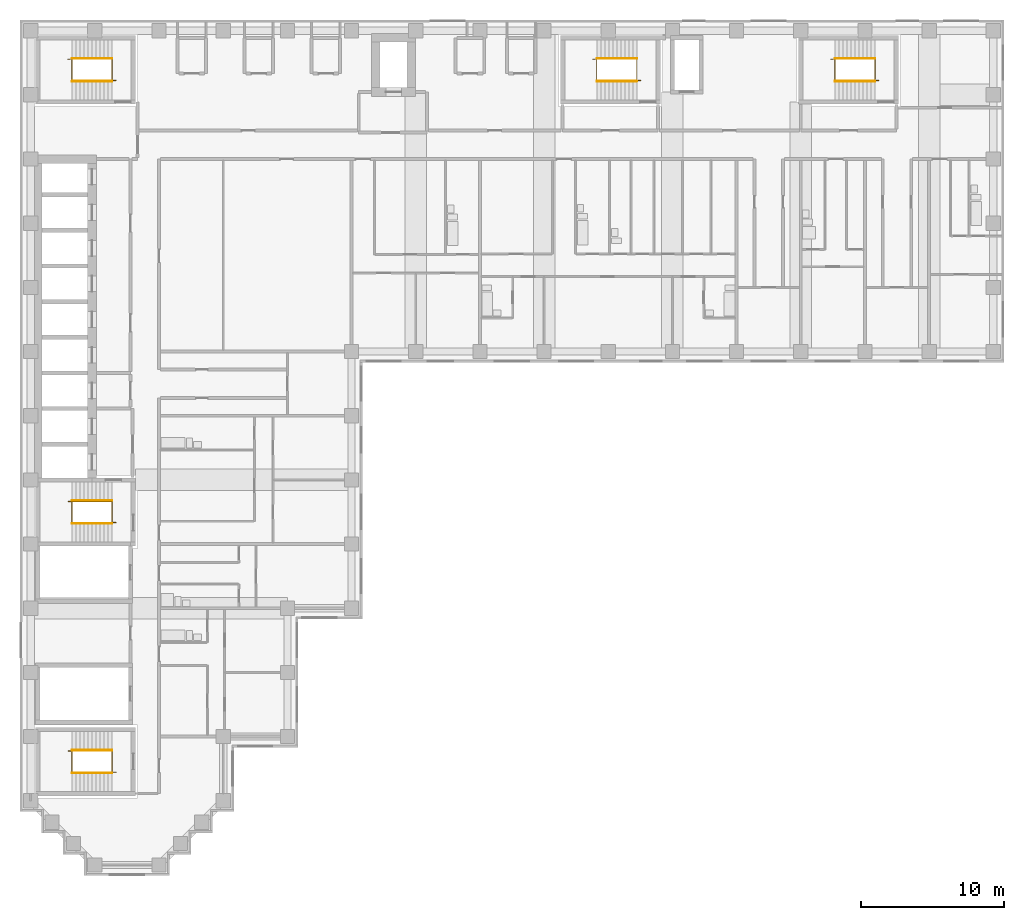
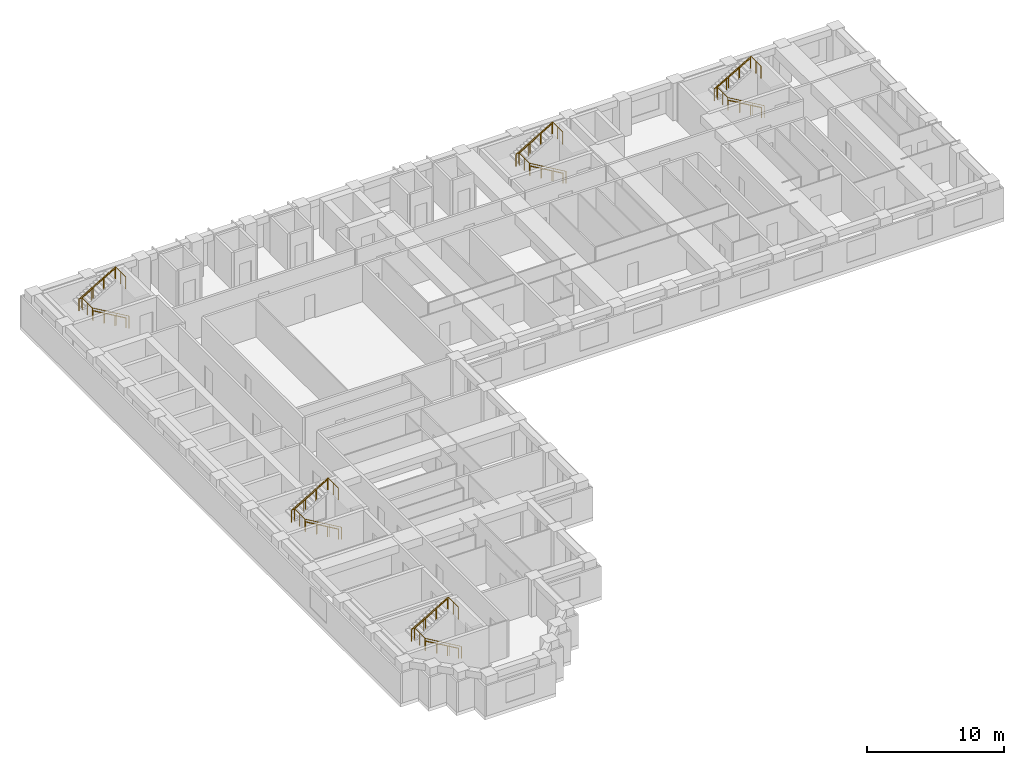
# One storey, part 11 of 12: 15 railings.
"""IFC4 building model written with IfcOpenShell, lengths in metres."""

from ifc_helpers import new_model, si_unit, direction, frame, origin, origin_2d, place, context, subcontext, project, spatial, circle, extrude, material, type_object, element, save


model = new_model("IFC4")

# Units and contexts
model_context = context("Model", 3, precision=1e-05, world=origin(), true_north=direction((0.0, 1.0)))
body_context = subcontext(model_context, "Body", "Model", "MODEL_VIEW")
ifc_project = project(units=[si_unit("LENGTHUNIT", "METRE"), si_unit("AREAUNIT", "SQUARE_METRE"), si_unit("VOLUMEUNIT", "CUBIC_METRE"), si_unit("PLANEANGLEUNIT", "RADIAN"), si_unit("MASSUNIT", "GRAM", prefix="KILO")], contexts=[model_context])

# Site, building, storey
site_placement = place(None, origin())
site = spatial("IfcSite", under=ifc_project, at=site_placement, CompositionType="ELEMENT")
building_placement = place(site_placement, origin())
building = spatial("IfcBuilding", under=site, at=building_placement, Name="Firuza Court", CompositionType="ELEMENT")
storey_placement = place(building_placement, frame((0.0, 0.0, 126.800048828125)))
storey = spatial("IfcBuildingStorey", under=building, at=storey_placement, Name="L31", CompositionType="ELEMENT", Elevation=126.800048828125)

# Railings
ifc_material_1 = material(Name="Steel S355", Category="steel")
railing_type_1 = type_object("IfcRailingType", Name="Handrail 900", PredefinedType="HANDRAIL", material=ifc_material_1)
railing_1_placement = place(storey_placement, frame((42.5, 54.949951171875, 0.16357421875)))
element("IfcRailing", 1, at=railing_1_placement, inside=storey, type_object=railing_type_1, Name="Handrail S1 flight 1", PredefinedType="HANDRAIL", context=body_context, shape_type="SweptSolid", body=[
    extrude(circle(Radius=0.02490234375, at=origin_2d()), frame((0.0, 0.0, 0.875), z_axis=(-0.863360870873, 0.0, 0.504586966384), x_axis=(0.0, -1.0, 0.0)), (0.0, 0.0, 1.0), 3.2431640625),
    extrude(circle(Radius=0.02001953125, at=origin_2d()), origin(), (0.0, 0.0, 1.0), 0.849853515625),
    extrude(circle(Radius=0.02001953125, at=origin_2d()), frame((-0.933349609375, 0.0, 0.54541015625)), (0.0, 0.0, 1.0), 0.849853515625),
    extrude(circle(Radius=0.02001953125, at=origin_2d()), frame((-1.86669921875, 0.0, 1.091064453125)), (0.0, 0.0, 1.0), 0.849853515625),
    extrude(circle(Radius=0.02001953125, at=origin_2d()), frame((-2.800048828125, 0.0, 1.636474609375)), (0.0, 0.0, 1.0), 0.849853515625),
])
railing_2_placement = place(storey_placement, frame((39.699951171875, 56.550048828125, 1.963623046875)))
element("IfcRailing", 2, at=railing_2_placement, inside=storey, type_object=railing_type_1, Name="Handrail S1 flight 2", PredefinedType="HANDRAIL", context=body_context, shape_type="SweptSolid", body=[
    extrude(circle(Radius=0.02490234375, at=origin_2d()), frame((0.0, 0.0, 0.875), z_axis=(0.863393664356, 0.0, 0.504530851732), x_axis=(0.0, 1.0, 0.0)), (0.0, 0.0, 1.0), 3.2431640625),
    extrude(circle(Radius=0.02001953125, at=origin_2d()), origin(), (0.0, 0.0, 1.0), 0.849853515625),
    extrude(circle(Radius=0.02001953125, at=origin_2d()), frame((0.933349609375, 0.0, 0.54541015625)), (0.0, 0.0, 1.0), 0.849853515625),
    extrude(circle(Radius=0.02001953125, at=origin_2d()), frame((1.86669921875, 0.0, 1.0908203125)), (0.0, 0.0, 1.0), 0.849853515625),
    extrude(circle(Radius=0.02001953125, at=origin_2d()), frame((2.800048828125, 0.0, 1.63623046875)), (0.0, 0.0, 1.0), 0.849853515625),
])
railing_3_placement = place(storey_placement, frame((5.699951171875, 23.949951171875, 0.16357421875)))
element("IfcRailing", 3, at=railing_3_placement, inside=storey, type_object=railing_type_1, Name="Handrail S2 flight 1", PredefinedType="HANDRAIL", context=body_context, shape_type="SweptSolid", body=[
    extrude(circle(Radius=0.02490234375, at=origin_2d()), frame((0.0, 0.0, 0.875), z_axis=(-0.863360870873, 0.0, 0.504586966384), x_axis=(0.0, -1.0, 0.0)), (0.0, 0.0, 1.0), 3.2431640625),
    extrude(circle(Radius=0.02001953125, at=origin_2d()), origin(), (0.0, 0.0, 1.0), 0.849853515625),
    extrude(circle(Radius=0.02001953125, at=origin_2d()), frame((-0.933349609375, 0.0, 0.54541015625)), (0.0, 0.0, 1.0), 0.849853515625),
    extrude(circle(Radius=0.02001953125, at=origin_2d()), frame((-1.86669921875, 0.0, 1.091064453125)), (0.0, 0.0, 1.0), 0.849853515625),
    extrude(circle(Radius=0.02001953125, at=origin_2d()), frame((-2.800048828125, 0.0, 1.636474609375)), (0.0, 0.0, 1.0), 0.849853515625),
])
railing_4_placement = place(storey_placement, frame((2.89990234375, 25.550048828125, 1.963623046875)))
element("IfcRailing", 4, at=railing_4_placement, inside=storey, type_object=railing_type_1, Name="Handrail S2 flight 2", PredefinedType="HANDRAIL", context=body_context, shape_type="SweptSolid", body=[
    extrude(circle(Radius=0.02490234375, at=origin_2d()), frame((0.0, 0.0, 0.875), z_axis=(0.863393664356, 0.0, 0.504530851732), x_axis=(0.0, 1.0, 0.0)), (0.0, 0.0, 1.0), 3.2431640625),
    extrude(circle(Radius=0.02001953125, at=origin_2d()), origin(), (0.0, 0.0, 1.0), 0.849853515625),
    extrude(circle(Radius=0.02001953125, at=origin_2d()), frame((0.933349609375, 0.0, 0.54541015625)), (0.0, 0.0, 1.0), 0.849853515625),
    extrude(circle(Radius=0.02001953125, at=origin_2d()), frame((1.86669921875, 0.0, 1.0908203125)), (0.0, 0.0, 1.0), 0.849853515625),
    extrude(circle(Radius=0.02001953125, at=origin_2d()), frame((2.800048828125, 0.0, 1.63623046875)), (0.0, 0.0, 1.0), 0.849853515625),
])
railing_5_placement = place(storey_placement, frame((5.699951171875, 54.949951171875, 0.16357421875)))
element("IfcRailing", 5, at=railing_5_placement, inside=storey, type_object=railing_type_1, Name="Handrail S3 flight 1", PredefinedType="HANDRAIL", context=body_context, shape_type="SweptSolid", body=[
    extrude(circle(Radius=0.02490234375, at=origin_2d()), frame((0.0, 0.0, 0.875), z_axis=(-0.863360870873, 0.0, 0.504586966384), x_axis=(0.0, -1.0, 0.0)), (0.0, 0.0, 1.0), 3.2431640625),
    extrude(circle(Radius=0.02001953125, at=origin_2d()), origin(), (0.0, 0.0, 1.0), 0.849853515625),
    extrude(circle(Radius=0.02001953125, at=origin_2d()), frame((-0.933349609375, 0.0, 0.54541015625)), (0.0, 0.0, 1.0), 0.849853515625),
    extrude(circle(Radius=0.02001953125, at=origin_2d()), frame((-1.86669921875, 0.0, 1.091064453125)), (0.0, 0.0, 1.0), 0.849853515625),
    extrude(circle(Radius=0.02001953125, at=origin_2d()), frame((-2.800048828125, 0.0, 1.636474609375)), (0.0, 0.0, 1.0), 0.849853515625),
])
railing_6_placement = place(storey_placement, frame((2.89990234375, 56.550048828125, 1.963623046875)))
element("IfcRailing", 6, at=railing_6_placement, inside=storey, type_object=railing_type_1, Name="Handrail S3 flight 2", PredefinedType="HANDRAIL", context=body_context, shape_type="SweptSolid", body=[
    extrude(circle(Radius=0.02490234375, at=origin_2d()), frame((0.0, 0.0, 0.875), z_axis=(0.863393664356, 0.0, 0.504530851732), x_axis=(0.0, 1.0, 0.0)), (0.0, 0.0, 1.0), 3.2431640625),
    extrude(circle(Radius=0.02001953125, at=origin_2d()), origin(), (0.0, 0.0, 1.0), 0.849853515625),
    extrude(circle(Radius=0.02001953125, at=origin_2d()), frame((0.933349609375, 0.0, 0.54541015625)), (0.0, 0.0, 1.0), 0.849853515625),
    extrude(circle(Radius=0.02001953125, at=origin_2d()), frame((1.86669921875, 0.0, 1.0908203125)), (0.0, 0.0, 1.0), 0.849853515625),
    extrude(circle(Radius=0.02001953125, at=origin_2d()), frame((2.800048828125, 0.0, 1.63623046875)), (0.0, 0.0, 1.0), 0.849853515625),
])
railing_7_placement = place(storey_placement, frame((59.199951171875, 54.949951171875, 0.16357421875)))
element("IfcRailing", 7, at=railing_7_placement, inside=storey, type_object=railing_type_1, Name="Handrail S4 flight 1", PredefinedType="HANDRAIL", context=body_context, shape_type="SweptSolid", body=[
    extrude(circle(Radius=0.02490234375, at=origin_2d()), frame((0.0, 0.0, 0.875), z_axis=(-0.863360870873, 0.0, 0.504586966384), x_axis=(0.0, -1.0, 0.0)), (0.0, 0.0, 1.0), 3.2431640625),
    extrude(circle(Radius=0.02001953125, at=origin_2d()), origin(), (0.0, 0.0, 1.0), 0.849853515625),
    extrude(circle(Radius=0.02001953125, at=origin_2d()), frame((-0.933349609375, 0.0, 0.54541015625)), (0.0, 0.0, 1.0), 0.849853515625),
    extrude(circle(Radius=0.02001953125, at=origin_2d()), frame((-1.86669921875, 0.0, 1.091064453125)), (0.0, 0.0, 1.0), 0.849853515625),
    extrude(circle(Radius=0.02001953125, at=origin_2d()), frame((-2.800048828125, 0.0, 1.636474609375)), (0.0, 0.0, 1.0), 0.849853515625),
])
railing_8_placement = place(storey_placement, frame((56.39990234375, 56.550048828125, 1.963623046875)))
element("IfcRailing", 8, at=railing_8_placement, inside=storey, type_object=railing_type_1, Name="Handrail S4 flight 2", PredefinedType="HANDRAIL", context=body_context, shape_type="SweptSolid", body=[
    extrude(circle(Radius=0.02490234375, at=origin_2d()), frame((0.0, 0.0, 0.875), z_axis=(0.863393664356, 0.0, 0.504530851732), x_axis=(0.0, 1.0, 0.0)), (0.0, 0.0, 1.0), 3.2431640625),
    extrude(circle(Radius=0.02001953125, at=origin_2d()), origin(), (0.0, 0.0, 1.0), 0.849853515625),
    extrude(circle(Radius=0.02001953125, at=origin_2d()), frame((0.933349609375, 0.0, 0.54541015625)), (0.0, 0.0, 1.0), 0.849853515625),
    extrude(circle(Radius=0.02001953125, at=origin_2d()), frame((1.86669921875, 0.0, 1.0908203125)), (0.0, 0.0, 1.0), 0.849853515625),
    extrude(circle(Radius=0.02001953125, at=origin_2d()), frame((2.800048828125, 0.0, 1.63623046875)), (0.0, 0.0, 1.0), 0.849853515625),
])
railing_9_placement = place(storey_placement, frame((5.699951171875, 6.449951171875, 0.16357421875)))
element("IfcRailing", 9, at=railing_9_placement, inside=storey, type_object=railing_type_1, Name="Handrail S5 flight 1", PredefinedType="HANDRAIL", context=body_context, shape_type="SweptSolid", body=[
    extrude(circle(Radius=0.02490234375, at=origin_2d()), frame((0.0, 0.0, 0.875), z_axis=(-0.863360870873, 0.0, 0.504586966384), x_axis=(0.0, -1.0, 0.0)), (0.0, 0.0, 1.0), 3.2431640625),
    extrude(circle(Radius=0.02001953125, at=origin_2d()), origin(), (0.0, 0.0, 1.0), 0.849853515625),
    extrude(circle(Radius=0.02001953125, at=origin_2d()), frame((-0.933349609375, 0.0, 0.54541015625)), (0.0, 0.0, 1.0), 0.849853515625),
    extrude(circle(Radius=0.02001953125, at=origin_2d()), frame((-1.86669921875, 0.0, 1.091064453125)), (0.0, 0.0, 1.0), 0.849853515625),
    extrude(circle(Radius=0.02001953125, at=origin_2d()), frame((-2.800048828125, 0.0, 1.636474609375)), (0.0, 0.0, 1.0), 0.849853515625),
])
railing_10_placement = place(storey_placement, frame((2.89990234375, 8.050048828125, 1.963623046875)))
element("IfcRailing", 10, at=railing_10_placement, inside=storey, type_object=railing_type_1, Name="Handrail S5 flight 2", PredefinedType="HANDRAIL", context=body_context, shape_type="SweptSolid", body=[
    extrude(circle(Radius=0.02490234375, at=origin_2d()), frame((0.0, 0.0, 0.875), z_axis=(0.863393664356, 0.0, 0.504530851732), x_axis=(0.0, 1.0, 0.0)), (0.0, 0.0, 1.0), 3.2431640625),
    extrude(circle(Radius=0.02001953125, at=origin_2d()), origin(), (0.0, 0.0, 1.0), 0.849853515625),
    extrude(circle(Radius=0.02001953125, at=origin_2d()), frame((0.933349609375, 0.0, 0.54541015625)), (0.0, 0.0, 1.0), 0.849853515625),
    extrude(circle(Radius=0.02001953125, at=origin_2d()), frame((1.86669921875, 0.0, 1.0908203125)), (0.0, 0.0, 1.0), 0.849853515625),
    extrude(circle(Radius=0.02001953125, at=origin_2d()), frame((2.800048828125, 0.0, 1.63623046875)), (0.0, 0.0, 1.0), 0.849853515625),
])
ifc_material_2 = material(Name="Steel S355", Category="steel")
railing_type_2 = type_object("IfcRailingType", Name="Stair guard 1100", PredefinedType="GUARDRAIL", material=ifc_material_2)
railing_11_placement = place(storey_placement, frame((42.780029296875, 55.010009765625, 0.0)))
element("IfcRailing", 11, at=railing_11_placement, inside=storey, type_object=railing_type_2, Name="Stair well guard S1", PredefinedType="GUARDRAIL", context=body_context, shape_type="SweptSolid", body=[
    extrude(circle(Radius=0.02490234375, at=origin_2d()), frame((0.0, 0.0, 1.0751953125), z_axis=(-0.863371556955, 0.0, 0.504568681787), x_axis=(0.0, -1.0, 0.0)), (0.0, 0.0, 1.0), 3.5673828125),
    extrude(circle(Radius=0.02490234375, at=origin_2d()), frame((-3.080078125, 0.0, 2.875), z_axis=(0.0, 1.0, 0.0), x_axis=(-1.0, 0.0, 0.0)), (0.0, 0.0, 1.0), 1.47998046875),
    extrude(circle(Radius=0.02490234375, at=origin_2d()), frame((-3.080078125, 1.47998046875, 2.875), z_axis=(-1.0, 0.0, 0.0), x_axis=(0.0, -1.0, 0.0)), (0.0, 0.0, 1.0), 0.280029296875),
    extrude(circle(Radius=0.02490234375, at=origin_2d()), frame((-3.360107421875, 1.47998046875, 2.875), z_axis=(0.863401368682, 0.0, 0.504517667242), x_axis=(0.0, 1.0, 0.0)), (0.0, 0.0, 1.0), 3.5673828125),
    extrude(circle(Radius=0.02490234375, at=origin_2d()), frame((-0.280029296875, 1.47998046875, 4.6748046875), z_axis=(0.0, -1.0, 0.0), x_axis=(1.0, 0.0, 0.0)), (0.0, 0.0, 1.0), 1.47998046875),
    extrude(circle(Radius=0.02490234375, at=origin_2d()), origin(), (0.0, 0.0, 1.0), 1.050048828125),
    extrude(circle(Radius=0.02490234375, at=origin_2d()), frame((-1.026611328125, 0.0, 0.60009765625)), (0.0, 0.0, 1.0), 1.050048828125),
    extrude(circle(Radius=0.02490234375, at=origin_2d()), frame((-2.053466796875, 0.0, 1.199951171875)), (0.0, 0.0, 1.0), 1.050048828125),
    extrude(circle(Radius=0.02490234375, at=origin_2d()), frame((-3.080078125, 0.0, 1.800048828125)), (0.0, 0.0, 1.0), 1.050048828125),
    extrude(circle(Radius=0.02490234375, at=origin_2d()), frame((-3.080078125, 0.739990234375, 1.800048828125)), (0.0, 0.0, 1.0), 1.050048828125),
    extrude(circle(Radius=0.02490234375, at=origin_2d()), frame((-3.080078125, 1.47998046875, 1.800048828125)), (0.0, 0.0, 1.0), 1.050048828125),
    extrude(circle(Radius=0.02490234375, at=origin_2d()), frame((-3.360107421875, 1.47998046875, 1.800048828125)), (0.0, 0.0, 1.0), 1.050048828125),
    extrude(circle(Radius=0.02490234375, at=origin_2d()), frame((-2.33349609375, 1.47998046875, 2.39990234375)), (0.0, 0.0, 1.0), 1.050048828125),
    extrude(circle(Radius=0.02490234375, at=origin_2d()), frame((-1.306640625, 1.47998046875, 3.0)), (0.0, 0.0, 1.0), 1.050048828125),
    extrude(circle(Radius=0.02490234375, at=origin_2d()), frame((-0.280029296875, 1.47998046875, 3.599853515625)), (0.0, 0.0, 1.0), 1.050048828125),
    extrude(circle(Radius=0.02490234375, at=origin_2d()), frame((-0.280029296875, 0.739990234375, 3.599853515625)), (0.0, 0.0, 1.0), 1.050048828125),
    extrude(circle(Radius=0.02490234375, at=origin_2d()), frame((-0.280029296875, 0.0, 3.599853515625)), (0.0, 0.0, 1.0), 1.050048828125),
])
railing_12_placement = place(storey_placement, frame((5.97998046875, 24.010009765625, 0.0)))
element("IfcRailing", 12, at=railing_12_placement, inside=storey, type_object=railing_type_2, Name="Stair well guard S2", PredefinedType="GUARDRAIL", context=body_context, shape_type="SweptSolid", body=[
    extrude(circle(Radius=0.02490234375, at=origin_2d()), frame((0.0, 0.0, 1.0751953125), z_axis=(-0.863371556955, 0.0, 0.504568681787), x_axis=(0.0, -1.0, 0.0)), (0.0, 0.0, 1.0), 3.5673828125),
    extrude(circle(Radius=0.02490234375, at=origin_2d()), frame((-3.080078125, 0.0, 2.875), z_axis=(0.0, 1.0, 0.0), x_axis=(-1.0, 0.0, 0.0)), (0.0, 0.0, 1.0), 1.47998046875),
    extrude(circle(Radius=0.02490234375, at=origin_2d()), frame((-3.080078125, 1.47998046875, 2.875), z_axis=(-1.0, 0.0, 0.0), x_axis=(0.0, -1.0, 0.0)), (0.0, 0.0, 1.0), 0.27978515625),
    extrude(circle(Radius=0.02490234375, at=origin_2d()), frame((-3.35986328125, 1.47998046875, 2.875), z_axis=(0.863383947312, 0.0, 0.504547479951), x_axis=(0.0, 1.0, 0.0)), (0.0, 0.0, 1.0), 3.567138671875),
    extrude(circle(Radius=0.02490234375, at=origin_2d()), frame((-0.280029296875, 1.47998046875, 4.6748046875), z_axis=(0.0, -1.0, 0.0), x_axis=(1.0, 0.0, 0.0)), (0.0, 0.0, 1.0), 1.47998046875),
    extrude(circle(Radius=0.02490234375, at=origin_2d()), origin(), (0.0, 0.0, 1.0), 1.050048828125),
    extrude(circle(Radius=0.02490234375, at=origin_2d()), frame((-1.026611328125, 0.0, 0.60009765625)), (0.0, 0.0, 1.0), 1.050048828125),
    extrude(circle(Radius=0.02490234375, at=origin_2d()), frame((-2.053466796875, 0.0, 1.199951171875)), (0.0, 0.0, 1.0), 1.050048828125),
    extrude(circle(Radius=0.02490234375, at=origin_2d()), frame((-3.080078125, 0.0, 1.800048828125)), (0.0, 0.0, 1.0), 1.050048828125),
    extrude(circle(Radius=0.02490234375, at=origin_2d()), frame((-3.080078125, 0.739990234375, 1.800048828125)), (0.0, 0.0, 1.0), 1.050048828125),
    extrude(circle(Radius=0.02490234375, at=origin_2d()), frame((-3.080078125, 1.47998046875, 1.800048828125)), (0.0, 0.0, 1.0), 1.050048828125),
    extrude(circle(Radius=0.02490234375, at=origin_2d()), frame((-3.35986328125, 1.47998046875, 1.800048828125)), (0.0, 0.0, 1.0), 1.050048828125),
    extrude(circle(Radius=0.02490234375, at=origin_2d()), frame((-2.333251953125, 1.47998046875, 2.39990234375)), (0.0, 0.0, 1.0), 1.050048828125),
    extrude(circle(Radius=0.02490234375, at=origin_2d()), frame((-1.306640625, 1.47998046875, 3.0)), (0.0, 0.0, 1.0), 1.050048828125),
    extrude(circle(Radius=0.02490234375, at=origin_2d()), frame((-0.280029296875, 1.47998046875, 3.599853515625)), (0.0, 0.0, 1.0), 1.050048828125),
    extrude(circle(Radius=0.02490234375, at=origin_2d()), frame((-0.280029296875, 0.739990234375, 3.599853515625)), (0.0, 0.0, 1.0), 1.050048828125),
    extrude(circle(Radius=0.02490234375, at=origin_2d()), frame((-0.280029296875, 0.0, 3.599853515625)), (0.0, 0.0, 1.0), 1.050048828125),
])
railing_13_placement = place(storey_placement, frame((5.97998046875, 55.010009765625, 0.0)))
element("IfcRailing", 13, at=railing_13_placement, inside=storey, type_object=railing_type_2, Name="Stair well guard S3", PredefinedType="GUARDRAIL", context=body_context, shape_type="SweptSolid", body=[
    extrude(circle(Radius=0.02490234375, at=origin_2d()), frame((0.0, 0.0, 1.0751953125), z_axis=(-0.863371556955, 0.0, 0.504568681787), x_axis=(0.0, -1.0, 0.0)), (0.0, 0.0, 1.0), 3.5673828125),
    extrude(circle(Radius=0.02490234375, at=origin_2d()), frame((-3.080078125, 0.0, 2.875), z_axis=(0.0, 1.0, 0.0), x_axis=(-1.0, 0.0, 0.0)), (0.0, 0.0, 1.0), 1.47998046875),
    extrude(circle(Radius=0.02490234375, at=origin_2d()), frame((-3.080078125, 1.47998046875, 2.875), z_axis=(-1.0, 0.0, 0.0), x_axis=(0.0, -1.0, 0.0)), (0.0, 0.0, 1.0), 0.27978515625),
    extrude(circle(Radius=0.02490234375, at=origin_2d()), frame((-3.35986328125, 1.47998046875, 2.875), z_axis=(0.863383947312, 0.0, 0.504547479951), x_axis=(0.0, 1.0, 0.0)), (0.0, 0.0, 1.0), 3.567138671875),
    extrude(circle(Radius=0.02490234375, at=origin_2d()), frame((-0.280029296875, 1.47998046875, 4.6748046875), z_axis=(0.0, -1.0, 0.0), x_axis=(1.0, 0.0, 0.0)), (0.0, 0.0, 1.0), 1.47998046875),
    extrude(circle(Radius=0.02490234375, at=origin_2d()), origin(), (0.0, 0.0, 1.0), 1.050048828125),
    extrude(circle(Radius=0.02490234375, at=origin_2d()), frame((-1.026611328125, 0.0, 0.60009765625)), (0.0, 0.0, 1.0), 1.050048828125),
    extrude(circle(Radius=0.02490234375, at=origin_2d()), frame((-2.053466796875, 0.0, 1.199951171875)), (0.0, 0.0, 1.0), 1.050048828125),
    extrude(circle(Radius=0.02490234375, at=origin_2d()), frame((-3.080078125, 0.0, 1.800048828125)), (0.0, 0.0, 1.0), 1.050048828125),
    extrude(circle(Radius=0.02490234375, at=origin_2d()), frame((-3.080078125, 0.739990234375, 1.800048828125)), (0.0, 0.0, 1.0), 1.050048828125),
    extrude(circle(Radius=0.02490234375, at=origin_2d()), frame((-3.080078125, 1.47998046875, 1.800048828125)), (0.0, 0.0, 1.0), 1.050048828125),
    extrude(circle(Radius=0.02490234375, at=origin_2d()), frame((-3.35986328125, 1.47998046875, 1.800048828125)), (0.0, 0.0, 1.0), 1.050048828125),
    extrude(circle(Radius=0.02490234375, at=origin_2d()), frame((-2.333251953125, 1.47998046875, 2.39990234375)), (0.0, 0.0, 1.0), 1.050048828125),
    extrude(circle(Radius=0.02490234375, at=origin_2d()), frame((-1.306640625, 1.47998046875, 3.0)), (0.0, 0.0, 1.0), 1.050048828125),
    extrude(circle(Radius=0.02490234375, at=origin_2d()), frame((-0.280029296875, 1.47998046875, 3.599853515625)), (0.0, 0.0, 1.0), 1.050048828125),
    extrude(circle(Radius=0.02490234375, at=origin_2d()), frame((-0.280029296875, 0.739990234375, 3.599853515625)), (0.0, 0.0, 1.0), 1.050048828125),
    extrude(circle(Radius=0.02490234375, at=origin_2d()), frame((-0.280029296875, 0.0, 3.599853515625)), (0.0, 0.0, 1.0), 1.050048828125),
])
railing_14_placement = place(storey_placement, frame((59.47998046875, 55.010009765625, 0.0)))
element("IfcRailing", 14, at=railing_14_placement, inside=storey, type_object=railing_type_2, Name="Stair well guard S4", PredefinedType="GUARDRAIL", context=body_context, shape_type="SweptSolid", body=[
    extrude(circle(Radius=0.02490234375, at=origin_2d()), frame((0.0, 0.0, 1.0751953125), z_axis=(-0.863371556955, 0.0, 0.504568681787), x_axis=(0.0, -1.0, 0.0)), (0.0, 0.0, 1.0), 3.5673828125),
    extrude(circle(Radius=0.02490234375, at=origin_2d()), frame((-3.080078125, 0.0, 2.875), z_axis=(0.0, 1.0, 0.0), x_axis=(-1.0, 0.0, 0.0)), (0.0, 0.0, 1.0), 1.47998046875),
    extrude(circle(Radius=0.02490234375, at=origin_2d()), frame((-3.080078125, 1.47998046875, 2.875), z_axis=(-1.0, 0.0, 0.0), x_axis=(0.0, -1.0, 0.0)), (0.0, 0.0, 1.0), 0.27978515625),
    extrude(circle(Radius=0.02490234375, at=origin_2d()), frame((-3.35986328125, 1.47998046875, 2.875), z_axis=(0.863383947312, 0.0, 0.504547479951), x_axis=(0.0, 1.0, 0.0)), (0.0, 0.0, 1.0), 3.567138671875),
    extrude(circle(Radius=0.02490234375, at=origin_2d()), frame((-0.280029296875, 1.47998046875, 4.6748046875), z_axis=(0.0, -1.0, 0.0), x_axis=(1.0, 0.0, 0.0)), (0.0, 0.0, 1.0), 1.47998046875),
    extrude(circle(Radius=0.02490234375, at=origin_2d()), origin(), (0.0, 0.0, 1.0), 1.050048828125),
    extrude(circle(Radius=0.02490234375, at=origin_2d()), frame((-1.026611328125, 0.0, 0.60009765625)), (0.0, 0.0, 1.0), 1.050048828125),
    extrude(circle(Radius=0.02490234375, at=origin_2d()), frame((-2.053466796875, 0.0, 1.199951171875)), (0.0, 0.0, 1.0), 1.050048828125),
    extrude(circle(Radius=0.02490234375, at=origin_2d()), frame((-3.080078125, 0.0, 1.800048828125)), (0.0, 0.0, 1.0), 1.050048828125),
    extrude(circle(Radius=0.02490234375, at=origin_2d()), frame((-3.080078125, 0.739990234375, 1.800048828125)), (0.0, 0.0, 1.0), 1.050048828125),
    extrude(circle(Radius=0.02490234375, at=origin_2d()), frame((-3.080078125, 1.47998046875, 1.800048828125)), (0.0, 0.0, 1.0), 1.050048828125),
    extrude(circle(Radius=0.02490234375, at=origin_2d()), frame((-3.35986328125, 1.47998046875, 1.800048828125)), (0.0, 0.0, 1.0), 1.050048828125),
    extrude(circle(Radius=0.02490234375, at=origin_2d()), frame((-2.333251953125, 1.47998046875, 2.39990234375)), (0.0, 0.0, 1.0), 1.050048828125),
    extrude(circle(Radius=0.02490234375, at=origin_2d()), frame((-1.306640625, 1.47998046875, 3.0)), (0.0, 0.0, 1.0), 1.050048828125),
    extrude(circle(Radius=0.02490234375, at=origin_2d()), frame((-0.280029296875, 1.47998046875, 3.599853515625)), (0.0, 0.0, 1.0), 1.050048828125),
    extrude(circle(Radius=0.02490234375, at=origin_2d()), frame((-0.280029296875, 0.739990234375, 3.599853515625)), (0.0, 0.0, 1.0), 1.050048828125),
    extrude(circle(Radius=0.02490234375, at=origin_2d()), frame((-0.280029296875, 0.0, 3.599853515625)), (0.0, 0.0, 1.0), 1.050048828125),
])
railing_15_placement = place(storey_placement, frame((5.97998046875, 6.510009765625, 0.0)))
element("IfcRailing", 15, at=railing_15_placement, inside=storey, type_object=railing_type_2, Name="Stair well guard S5", PredefinedType="GUARDRAIL", context=body_context, shape_type="SweptSolid", body=[
    extrude(circle(Radius=0.02490234375, at=origin_2d()), frame((0.0, 0.0, 1.0751953125), z_axis=(-0.863371556955, 0.0, 0.504568681787), x_axis=(0.0, -1.0, 0.0)), (0.0, 0.0, 1.0), 3.5673828125),
    extrude(circle(Radius=0.02490234375, at=origin_2d()), frame((-3.080078125, 0.0, 2.875), z_axis=(0.0, 1.0, 0.0), x_axis=(-1.0, 0.0, 0.0)), (0.0, 0.0, 1.0), 1.47998046875),
    extrude(circle(Radius=0.02490234375, at=origin_2d()), frame((-3.080078125, 1.47998046875, 2.875), z_axis=(-1.0, 0.0, 0.0), x_axis=(0.0, -1.0, 0.0)), (0.0, 0.0, 1.0), 0.27978515625),
    extrude(circle(Radius=0.02490234375, at=origin_2d()), frame((-3.35986328125, 1.47998046875, 2.875), z_axis=(0.863383947312, 0.0, 0.504547479951), x_axis=(0.0, 1.0, 0.0)), (0.0, 0.0, 1.0), 3.567138671875),
    extrude(circle(Radius=0.02490234375, at=origin_2d()), frame((-0.280029296875, 1.47998046875, 4.6748046875), z_axis=(0.0, -1.0, 0.0), x_axis=(1.0, 0.0, 0.0)), (0.0, 0.0, 1.0), 1.47998046875),
    extrude(circle(Radius=0.02490234375, at=origin_2d()), origin(), (0.0, 0.0, 1.0), 1.050048828125),
    extrude(circle(Radius=0.02490234375, at=origin_2d()), frame((-1.026611328125, 0.0, 0.60009765625)), (0.0, 0.0, 1.0), 1.050048828125),
    extrude(circle(Radius=0.02490234375, at=origin_2d()), frame((-2.053466796875, 0.0, 1.199951171875)), (0.0, 0.0, 1.0), 1.050048828125),
    extrude(circle(Radius=0.02490234375, at=origin_2d()), frame((-3.080078125, 0.0, 1.800048828125)), (0.0, 0.0, 1.0), 1.050048828125),
    extrude(circle(Radius=0.02490234375, at=origin_2d()), frame((-3.080078125, 0.739990234375, 1.800048828125)), (0.0, 0.0, 1.0), 1.050048828125),
    extrude(circle(Radius=0.02490234375, at=origin_2d()), frame((-3.080078125, 1.47998046875, 1.800048828125)), (0.0, 0.0, 1.0), 1.050048828125),
    extrude(circle(Radius=0.02490234375, at=origin_2d()), frame((-3.35986328125, 1.47998046875, 1.800048828125)), (0.0, 0.0, 1.0), 1.050048828125),
    extrude(circle(Radius=0.02490234375, at=origin_2d()), frame((-2.333251953125, 1.47998046875, 2.39990234375)), (0.0, 0.0, 1.0), 1.050048828125),
    extrude(circle(Radius=0.02490234375, at=origin_2d()), frame((-1.306640625, 1.47998046875, 3.0)), (0.0, 0.0, 1.0), 1.050048828125),
    extrude(circle(Radius=0.02490234375, at=origin_2d()), frame((-0.280029296875, 1.47998046875, 3.599853515625)), (0.0, 0.0, 1.0), 1.050048828125),
    extrude(circle(Radius=0.02490234375, at=origin_2d()), frame((-0.280029296875, 0.739990234375, 3.599853515625)), (0.0, 0.0, 1.0), 1.050048828125),
    extrude(circle(Radius=0.02490234375, at=origin_2d()), frame((-0.280029296875, 0.0, 3.599853515625)), (0.0, 0.0, 1.0), 1.050048828125),
])

save(model, "model.ifc")
